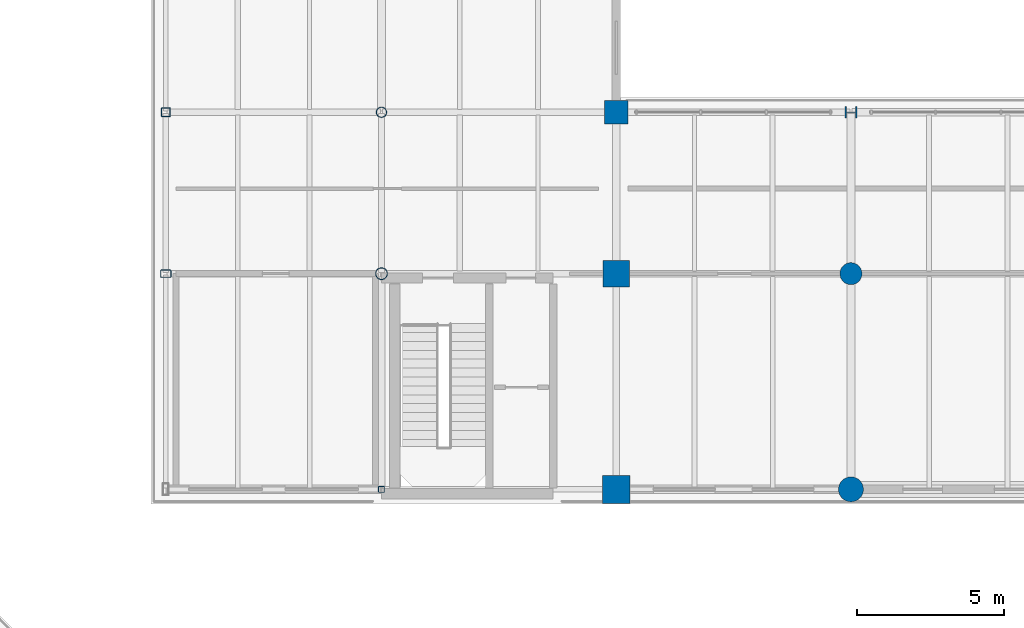
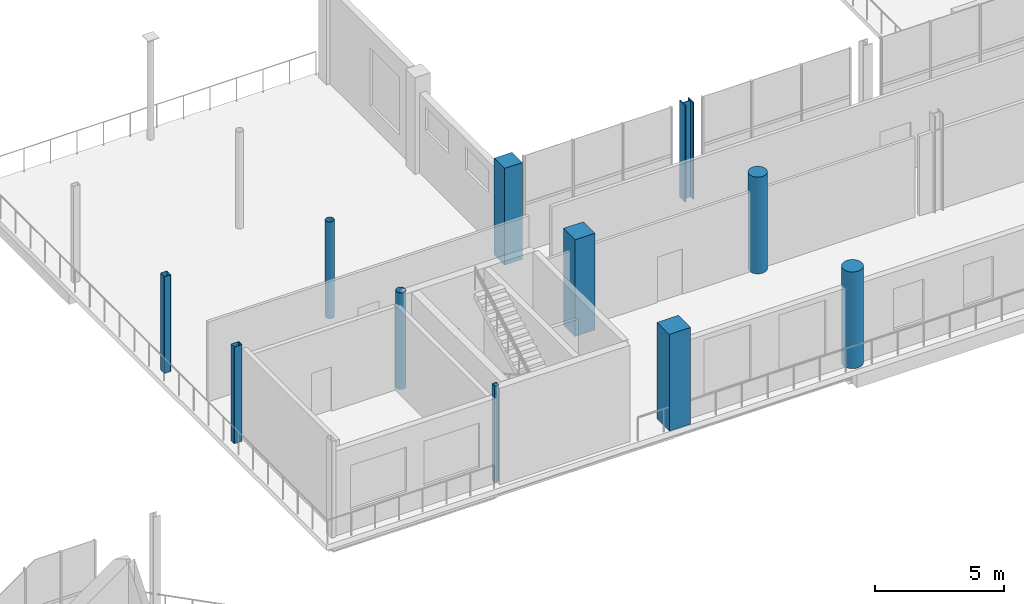
# One storey, part 10 of 51: 11 columns.
"""IFC4 building model written with IfcOpenShell, lengths in metres."""

from ifc_helpers import new_model, si_unit, direction, frame, origin, origin_2d, place, context, subcontext, project, spatial, rectangle, hollow_rectangle, circle, hollow_circle, i_section, extrude, material, material_profile, profile_set, type_object, element, save


model = new_model("IFC4")

# Units and contexts
model_context = context("Model", 3, precision=1e-05, world=origin(), true_north=direction((0.0, 1.0)))
body_context = subcontext(model_context, "Body", "Model", "MODEL_VIEW")
ifc_project = project(units=[si_unit("LENGTHUNIT", "METRE"), si_unit("AREAUNIT", "SQUARE_METRE"), si_unit("VOLUMEUNIT", "CUBIC_METRE"), si_unit("PLANEANGLEUNIT", "RADIAN"), si_unit("MASSUNIT", "GRAM", prefix="KILO")], contexts=[model_context])

# Site, building, storey
site_placement = place(None, origin())
site = spatial("IfcSite", under=ifc_project, at=site_placement, CompositionType="ELEMENT")
building_placement = place(site_placement, origin())
building = spatial("IfcBuilding", under=site, at=building_placement, Name="Brisemont Oceanarium", CompositionType="ELEMENT")
storey_placement = place(building_placement, frame((0.0, 0.0, 15.0)))
storey = spatial("IfcBuildingStorey", under=building, at=storey_placement, Name="L03", CompositionType="ELEMENT", Elevation=15.0)

# Columns
ifc_material_1 = material(Name="Structural Steel ASTM A500 Gr.C", Category="steel")
ifc_material_profile_1 = material_profile(ifc_material_1, hollow_circle(Radius=0.177978515625, WallThickness=0.01171875, at=origin_2d()), Name="HSS14.000X0.500")
ifc_profile_set_1 = profile_set([ifc_material_profile_1], Name="Structural Steel ASTM A500 Gr.C")
column_type_1 = type_object("IfcColumnType", Name="COL-CHS14", PredefinedType="COLUMN", material=ifc_profile_set_1)
column_1_placement = place(storey_placement, frame((120.0, 93.5, 0.0), z_axis=(0.0, 0.0, 1.0), x_axis=(0.0, 1.0, 0.0)))
element("IfcColumn", 1, at=column_1_placement, inside=storey, type_object=column_type_1, Name="V6 L03 column (1,2)", PredefinedType="COLUMN", context=body_context, shape_type="SweptSolid", body=[
    extrude(hollow_circle(Radius=0.177978515625, WallThickness=0.01171875, at=origin_2d()), origin(), (0.0, 0.0, 1.0), 4.580078125),
])
ifc_material_2 = material(Name="Structural Steel ASTM A500 Gr.C", Category="steel")
ifc_material_profile_2 = material_profile(ifc_material_2, hollow_circle(Radius=0.202880859375, WallThickness=0.01171875, at=origin_2d()), Name="HSS16.000X0.500")
ifc_profile_set_2 = profile_set([ifc_material_profile_2], Name="Structural Steel ASTM A500 Gr.C")
column_type_2 = type_object("IfcColumnType", Name="COL-CHS16", PredefinedType="COLUMN", material=ifc_profile_set_2)
column_2_placement = place(storey_placement, frame((120.0, 88.0, 0.0), z_axis=(0.0, 0.0, 1.0), x_axis=(1.0, 0.0, 0.0)))
element("IfcColumn", 2, at=column_2_placement, inside=storey, type_object=column_type_2, Name="V6 L03 column (1,1)", PredefinedType="COLUMN", context=body_context, shape_type="SweptSolid", body=[
    extrude(hollow_circle(Radius=0.202880859375, WallThickness=0.01171875, at=origin_2d()), origin(), (0.0, 0.0, 1.0), 4.580078125),
])
ifc_material_3 = material(Name="Structural Steel ASTM A500 Gr.C", Category="steel")
ifc_material_profile_3 = material_profile(ifc_material_3, hollow_rectangle(XDim=0.304931640625, YDim=0.304931640625, WallThickness=0.01171875, InnerFilletRadius=0.01220703125, OuterFilletRadius=0.02392578125, at=origin_2d()), Name="HSS12X12X1/2")
ifc_profile_set_3 = profile_set([ifc_material_profile_3], Name="Structural Steel ASTM A500 Gr.C")
column_type_3 = type_object("IfcColumnType", Name="COL-HSS12X12", PredefinedType="COLUMN", material=ifc_profile_set_3)
column_3_placement = place(storey_placement, frame((112.64990234375, 93.5, 0.0), z_axis=(0.0, 0.0, 1.0), x_axis=(1.0, 0.0, 0.0)))
element("IfcColumn", 3, at=column_3_placement, inside=storey, type_object=column_type_3, Name="V6 L03 column (0,2)", PredefinedType="COLUMN", context=body_context, shape_type="SweptSolid", body=[
    extrude(hollow_rectangle(XDim=0.304931640625, YDim=0.304931640625, WallThickness=0.01171875, InnerFilletRadius=0.01220703125, OuterFilletRadius=0.02392578125, at=origin_2d()), origin(), (0.0, 0.0, 1.0), 4.580078125),
])
ifc_material_4 = material(Name="Structural Steel ASTM A500 Gr.C", Category="steel")
ifc_material_profile_4 = material_profile(ifc_material_4, hollow_rectangle(XDim=0.25390625, YDim=0.35595703125, WallThickness=0.01171875, InnerFilletRadius=0.01220703125, OuterFilletRadius=0.02392578125, at=origin_2d()), Name="HSS14X10X1/2")
ifc_profile_set_4 = profile_set([ifc_material_profile_4], Name="Structural Steel ASTM A500 Gr.C")
column_type_4 = type_object("IfcColumnType", Name="COL-HSS14X10", PredefinedType="COLUMN", material=ifc_profile_set_4)
column_4_placement = place(storey_placement, frame((112.64990234375, 88.0, 0.0), z_axis=(0.0, 0.0, 1.0), x_axis=(0.0, 1.0, 0.0)))
element("IfcColumn", 4, at=column_4_placement, inside=storey, type_object=column_type_4, Name="V6 L03 column (0,1)", PredefinedType="COLUMN", context=body_context, shape_type="SweptSolid", body=[
    extrude(hollow_rectangle(XDim=0.25390625, YDim=0.35595703125, WallThickness=0.01171875, InnerFilletRadius=0.01220703125, OuterFilletRadius=0.02392578125, at=origin_2d()), origin(), (0.0, 0.0, 1.0), 4.580078125),
])
ifc_material_5 = material(Name="Structural Steel ASTM A500 Gr.C", Category="steel")
ifc_material_profile_5 = material_profile(ifc_material_5, hollow_rectangle(XDim=0.202880859375, YDim=0.202880859375, WallThickness=0.0087890625, InnerFilletRadius=0.009033203125, OuterFilletRadius=0.01806640625, at=origin_2d()), Name="HSS8X8X3/8")
ifc_profile_set_5 = profile_set([ifc_material_profile_5], Name="Structural Steel ASTM A500 Gr.C")
column_type_5 = type_object("IfcColumnType", Name="COL-HSS8X8", PredefinedType="COLUMN", material=ifc_profile_set_5)
column_5_placement = place(storey_placement, frame((120.0, 80.64990234375, 0.0), z_axis=(0.0, 0.0, 1.0), x_axis=(0.0, 1.0, 0.0)))
element("IfcColumn", 5, at=column_5_placement, inside=storey, type_object=column_type_5, Name="V6 L03 column (1,0)", PredefinedType="COLUMN", context=body_context, shape_type="SweptSolid", body=[
    extrude(hollow_rectangle(XDim=0.202880859375, YDim=0.202880859375, WallThickness=0.0087890625, InnerFilletRadius=0.009033203125, OuterFilletRadius=0.01806640625, at=origin_2d()), origin(), (0.0, 0.0, 1.0), 4.580078125),
])
ifc_material_6 = material(Name="Concrete C40/50", Category="concrete")
ifc_material_profile_6 = material_profile(ifc_material_6, rectangle(XDim=0.800048828125, YDim=0.800048828125, at=origin_2d()), Name="RC-COL-800X800")
ifc_profile_set_6 = profile_set([ifc_material_profile_6], Name="Concrete C40/50")
column_type_6 = type_object("IfcColumnType", Name="COL-RC800", PredefinedType="COLUMN", material=ifc_profile_set_6)
column_6_placement = place(storey_placement, frame((128.0, 93.5, 0.0), z_axis=(0.0, 0.0, 1.0), x_axis=(1.0, 0.0, 0.0)))
element("IfcColumn", 6, at=column_6_placement, inside=storey, type_object=column_type_6, Name="V6 L03 column (2,2)", PredefinedType="COLUMN", context=body_context, shape_type="SweptSolid", body=[
    extrude(rectangle(XDim=0.800048828125, YDim=0.800048828125, at=origin_2d()), origin(), (0.0, 0.0, 1.0), 4.580078125),
])
ifc_material_7 = material(Name="Concrete C40/50", Category="concrete")
ifc_material_profile_7 = material_profile(ifc_material_7, rectangle(XDim=0.89990234375, YDim=0.89990234375, at=origin_2d()), Name="RC-COL-900X900")
ifc_profile_set_7 = profile_set([ifc_material_profile_7], Name="Concrete C40/50")
column_type_7 = type_object("IfcColumnType", Name="COL-RC900", PredefinedType="COLUMN", material=ifc_profile_set_7)
column_7_placement = place(storey_placement, frame((128.0, 88.0, 0.0), z_axis=(0.0, 0.0, 1.0), x_axis=(0.0, 1.0, 0.0)))
element("IfcColumn", 7, at=column_7_placement, inside=storey, type_object=column_type_7, Name="V6 L03 column (2,1)", PredefinedType="COLUMN", context=body_context, shape_type="SweptSolid", body=[
    extrude(rectangle(XDim=0.89990234375, YDim=0.89990234375, at=origin_2d()), origin(), (0.0, 0.0, 1.0), 4.580078125),
])
ifc_material_8 = material(Name="Concrete C40/50", Category="concrete")
ifc_material_profile_8 = material_profile(ifc_material_8, rectangle(XDim=0.949951171875, YDim=0.949951171875, at=origin_2d()), Name="RC-COL-950X950")
ifc_profile_set_8 = profile_set([ifc_material_profile_8], Name="Concrete C40/50")
column_type_8 = type_object("IfcColumnType", Name="COL-RC950", PredefinedType="COLUMN", material=ifc_profile_set_8)
column_8_placement = place(storey_placement, frame((128.0, 80.64990234375, 0.0), z_axis=(0.0, 0.0, 1.0), x_axis=(1.0, 0.0, 0.0)))
element("IfcColumn", 8, at=column_8_placement, inside=storey, type_object=column_type_8, Name="V6 L03 column (2,0)", PredefinedType="COLUMN", context=body_context, shape_type="SweptSolid", body=[
    extrude(rectangle(XDim=0.949951171875, YDim=0.949951171875, at=origin_2d()), origin(), (0.0, 0.0, 1.0), 4.580078125),
])
ifc_material_9 = material(Name="Concrete C40/50", Category="concrete")
ifc_material_profile_9 = material_profile(ifc_material_9, circle(Radius=0.375, at=origin_2d()), Name="RC-COL-D750")
ifc_profile_set_9 = profile_set([ifc_material_profile_9], Name="Concrete C40/50")
column_type_9 = type_object("IfcColumnType", Name="COL-RCD750", PredefinedType="COLUMN", material=ifc_profile_set_9)
column_9_placement = place(storey_placement, frame((136.0, 88.0, 0.0), z_axis=(0.0, 0.0, 1.0), x_axis=(1.0, 0.0, 0.0)))
element("IfcColumn", 9, at=column_9_placement, inside=storey, type_object=column_type_9, Name="V6 L03 column (3,1)", PredefinedType="COLUMN", context=body_context, shape_type="SweptSolid", body=[
    extrude(circle(Radius=0.375, at=origin_2d()), origin(), (0.0, 0.0, 1.0), 4.580078125),
])
ifc_material_10 = material(Name="Concrete C40/50", Category="concrete")
ifc_material_profile_10 = material_profile(ifc_material_10, circle(Radius=0.425048828125, at=origin_2d()), Name="RC-COL-D850")
ifc_profile_set_10 = profile_set([ifc_material_profile_10], Name="Concrete C40/50")
column_type_10 = type_object("IfcColumnType", Name="COL-RCD850", PredefinedType="COLUMN", material=ifc_profile_set_10)
column_10_placement = place(storey_placement, frame((136.0, 80.64990234375, 0.0), z_axis=(0.0, 0.0, 1.0), x_axis=(0.0, 1.0, 0.0)))
element("IfcColumn", 10, at=column_10_placement, inside=storey, type_object=column_type_10, Name="V6 L03 column (3,0)", PredefinedType="COLUMN", context=body_context, shape_type="SweptSolid", body=[
    extrude(circle(Radius=0.425048828125, at=origin_2d()), origin(), (0.0, 0.0, 1.0), 4.580078125),
])
ifc_material_11 = material(Name="Structural Steel ASTM A992 Gr.50", Category="steel")
ifc_material_profile_11 = material_profile(ifc_material_11, i_section(OverallWidth=0.406005859375, OverallDepth=0.416015625, WebThickness=0.02978515625, FlangeThickness=0.048095703125, FilletRadius=0.014892578125, at=origin_2d()), Name="W14X257")
ifc_profile_set_11 = profile_set([ifc_material_profile_11], Name="Structural Steel ASTM A992 Gr.50")
column_type_11 = type_object("IfcColumnType", Name="COL-W14X257", PredefinedType="COLUMN", material=ifc_profile_set_11)
column_11_placement = place(storey_placement, frame((136.0, 93.5, 0.0), z_axis=(0.0, 0.0, 1.0), x_axis=(0.0, 1.0, 0.0)))
element("IfcColumn", 11, at=column_11_placement, inside=storey, type_object=column_type_11, Name="V6 L03 column (3,2)", PredefinedType="COLUMN", context=body_context, shape_type="SweptSolid", body=[
    extrude(i_section(OverallWidth=0.406005859375, OverallDepth=0.416015625, WebThickness=0.02978515625, FlangeThickness=0.048095703125, FilletRadius=0.014892578125, at=origin_2d()), origin(), (0.0, 0.0, 1.0), 4.580078125),
])

save(model, "model.ifc")
